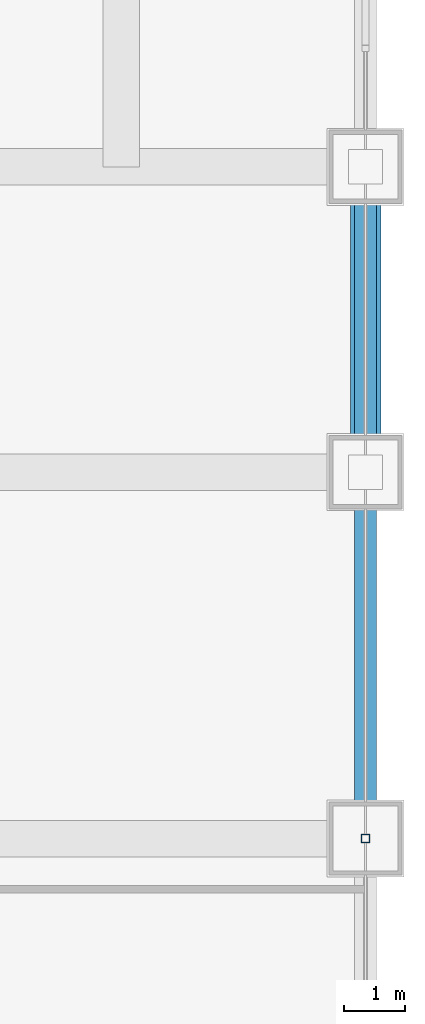
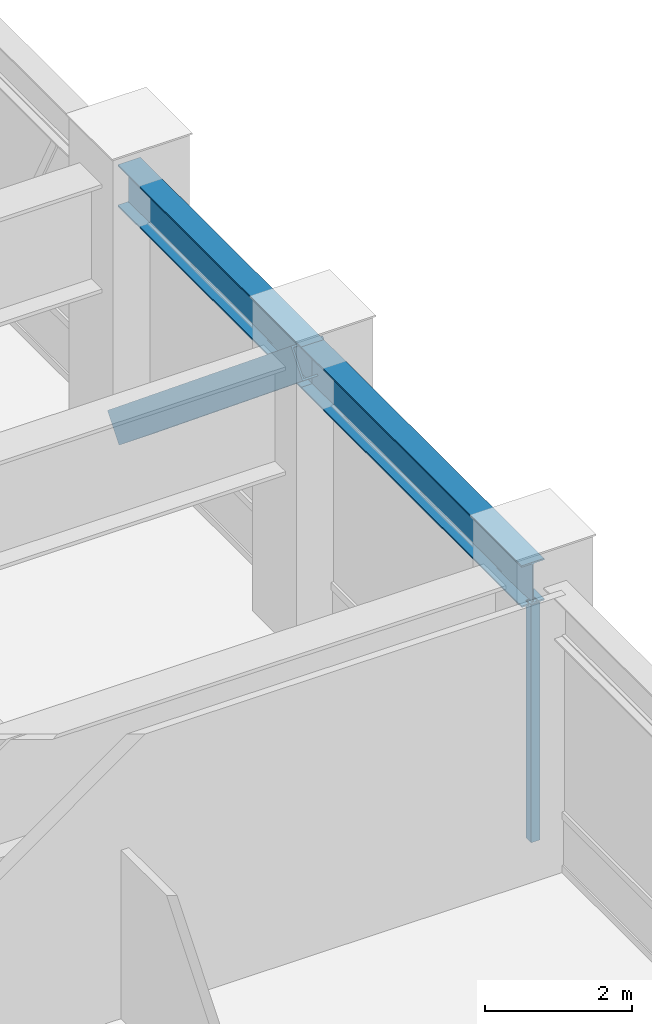
# One storey, part 16 of 34: 2 beams, 2 members, 1 element without a shape of its own.
"""IFC4 building model written with IfcOpenShell, lengths in metres."""

from ifc_helpers import new_model, si_unit, direction, frame, origin, origin_2d, place, context, subcontext, project, spatial, hollow_rectangle, i_section, extrude, source, transform, mapped, material, material_profile, profile_set, type_object, element, aggregate, save


model = new_model("IFC4")

# Units and contexts
model_context = context("Model", 3, precision=1e-05, world=origin(), true_north=direction((0.0, 1.0)))
body_context = subcontext(model_context, "Body", "Model", "MODEL_VIEW")
ifc_project = project(units=[si_unit("LENGTHUNIT", "METRE"), si_unit("AREAUNIT", "SQUARE_METRE"), si_unit("VOLUMEUNIT", "CUBIC_METRE"), si_unit("PLANEANGLEUNIT", "RADIAN"), si_unit("MASSUNIT", "GRAM", prefix="KILO")], contexts=[model_context])

# Site, building, storey
site_placement = place(None, origin())
site = spatial("IfcSite", under=ifc_project, at=site_placement, CompositionType="ELEMENT")
building_placement = place(site_placement, origin())
building = spatial("IfcBuilding", under=site, at=building_placement, Name="Khorayat Bourse Tower", CompositionType="ELEMENT")
storey_placement = place(building_placement, frame((0.0, 0.0, 144.699951171875)))
storey = spatial("IfcBuildingStorey", under=building, at=storey_placement, Name="L33", CompositionType="ELEMENT", Elevation=144.699951171875)

# Beams
ifc_material_1 = material(Name="Steel ASTM A992 Grade 50", Category="steel")
ifc_material_profile_1 = material_profile(ifc_material_1, i_section(OverallWidth=0.35498046875, OverallDepth=0.695068359375, WebThickness=0.015380859375, FlangeThickness=0.02490234375, FilletRadius=0.01806640625, at=origin_2d()), Name="W690X217")
ifc_profile_set_1 = profile_set([ifc_material_profile_1], Name="Steel ASTM A992 Grade 50")
beam_type = type_object("IfcBeamType", Name="BM-SPAN-690", PredefinedType="SPANDREL", material=ifc_profile_set_1)
shared_shape_1 = source(origin(), body_context, "Body", "SweptSolid", [
    extrude(i_section(OverallWidth=0.35498046875, OverallDepth=0.695068359375, WebThickness=0.015380859375, FlangeThickness=0.02490234375, FilletRadius=0.01806640625, at=origin_2d()), origin(), (0.0, 0.0, 1.0), 5.0),
])
beam_1_placement = place(storey_placement, frame((32.0, 6.0, 4.25244140625), z_axis=(0.0, 1.0, 0.0), x_axis=(-1.0, 0.0, 0.0)))
element("IfcBeam", 1, at=beam_1_placement, inside=storey, type_object=beam_type, Name="L33 BM-SPAN-690 BM-L33-SPN-039", PredefinedType="SPANDREL", context=body_context, shape_type="MappedRepresentation", body=[
    mapped(shared_shape_1, transform((0.0, 0.0, 0.0), scale=1.0)),
])
shared_shape_2 = source(origin(), body_context, "Body", "SweptSolid", [
    extrude(i_section(OverallWidth=0.35498046875, OverallDepth=0.695068359375, WebThickness=0.015380859375, FlangeThickness=0.02490234375, FilletRadius=0.01806640625, at=origin_2d()), origin(), (0.0, 0.0, 1.0), 6.0),
])
beam_2_placement = place(storey_placement, frame((32.0, 0.0, 4.25244140625), z_axis=(0.0, 1.0, 0.0), x_axis=(-1.0, 0.0, 0.0)))
element("IfcBeam", 2, at=beam_2_placement, inside=storey, type_object=beam_type, Name="L33 BM-SPAN-690 BM-L33-SPN-038", PredefinedType="SPANDREL", context=body_context, shape_type="MappedRepresentation", body=[
    mapped(shared_shape_2, transform((0.0, 0.0, 0.0), scale=1.0)),
])

# Member
ifc_material_2 = material(Name="Steel EN 10025-4 S460M", Category="steel")
ifc_material_profile_2 = material_profile(ifc_material_2, hollow_rectangle(XDim=0.5, YDim=0.5, WallThickness=0.028076171875, at=origin_2d()), Name="HSS 500x500x28")
ifc_profile_set_2 = profile_set([ifc_material_profile_2], Name="Steel EN 10025-4 S460M")
member_type_1 = type_object("IfcMemberType", Name="MBR-TUBE-500", PredefinedType="BRACE", material=ifc_profile_set_2)
shared_shape_3 = source(origin(), body_context, "Body", "SweptSolid", [
    extrude(hollow_rectangle(XDim=0.5, YDim=0.5, WallThickness=0.028076171875, at=origin_2d()), origin(), (0.0, 0.0, 1.0), 6.466064453125),
])
member_1_placement = place(storey_placement, frame((32.0, 6.0, 4.35009765625), z_axis=(0.0, 0.773260385368, -0.634088618744), x_axis=(-1.0, 0.0, 0.0)))
element("IfcMember", 3, at=member_1_placement, inside=storey, type_object=member_type_1, Name="L33 Perimeter Tube Brace 08", PredefinedType="BRACE", context=body_context, shape_type="MappedRepresentation", body=[
    mapped(shared_shape_3, transform((0.0, 0.0, 0.0), scale=1.0)),
])

# Curtain wall, member
ifc_material_3 = material(Name="Aluminium EN AW-6063 T6", Category="aluminium")
curtain_wall_type = type_object("IfcCurtainWallType", Name="CW-SYS-05", PredefinedType="NOTDEFINED", material=ifc_material_3)
curtain_wall_placement = place(storey_placement, origin())
curtain_wall = element("IfcCurtainWall", 4, at=curtain_wall_placement, inside=storey, type_object=curtain_wall_type, Name="L33 Curtain Wall CW-L33-E1", PredefinedType="NOTDEFINED")
ifc_material_profile_3 = material_profile(ifc_material_3, hollow_rectangle(XDim=0.139892578125, YDim=0.139892578125, WallThickness=0.006103515625, at=origin_2d()), Name="ALU 140x140x6")
ifc_profile_set_3 = profile_set([ifc_material_profile_3], Name="Aluminium EN AW-6063 T6")
member_type_2 = type_object("IfcMemberType", Name="CWM-VERT-140", PredefinedType="MULLION", material=ifc_profile_set_3)
shared_shape_4 = source(origin(), body_context, "Body", "SweptSolid", [
    extrude(hollow_rectangle(XDim=0.139892578125, YDim=0.139892578125, WallThickness=0.006103515625, at=origin_2d()), origin(), (0.0, 0.0, 1.0), 3.949951171875),
])
member_2_placement = place(storey_placement, frame((32.0, 0.0, 0.0), z_axis=(0.0, 0.0, 1.0), x_axis=(-1.0, 0.0, 0.0)))
member_2 = element("IfcMember", 5, at=member_2_placement, type_object=member_type_2, Name="CW-L33-E1 Vertical Mullion 2", PredefinedType="MULLION", context=body_context, shape_type="MappedRepresentation", body=[
    mapped(shared_shape_4, transform((0.0, 0.0, 0.0), scale=1.0)),
])
aggregate(curtain_wall, [member_2])

save(model, "model.ifc")
